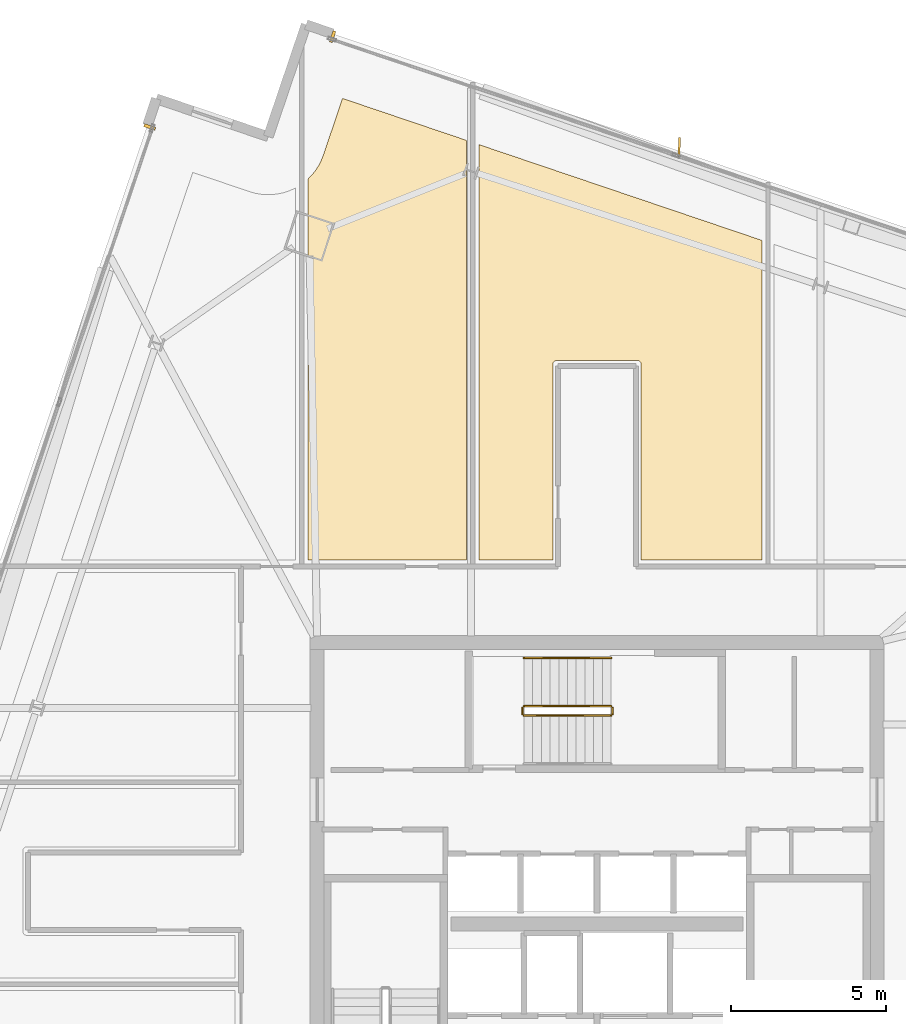
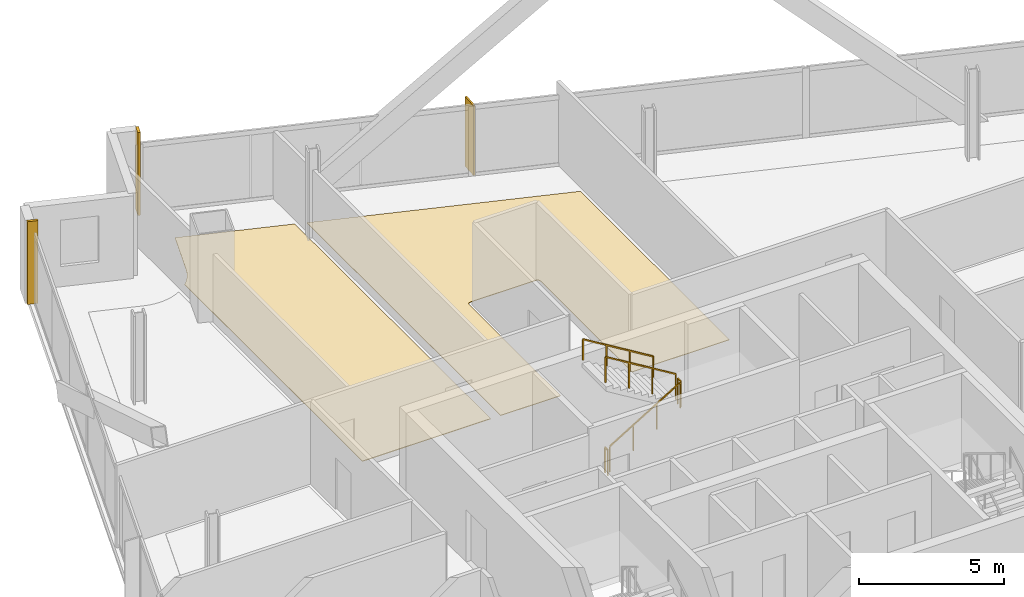
# One storey, part 28 of 29: 5 railings, 4 coverings, 1 shading device.
"""IFC4 building model written with IfcOpenShell, lengths in metres."""

from ifc_helpers import new_model, si_unit, direction, frame, origin, origin_2d, place, context, subcontext, project, spatial, polyline, rectangle, outline, extrude, source, transform, mapped, material, layer, layer_set, type_object, element, save


model = new_model("IFC4")

# Units and contexts
model_context = context("Model", 3, precision=1e-05, world=origin(), true_north=direction((0.0, 1.0)))
body_context = subcontext(model_context, "Body", "Model", "MODEL_VIEW")
ifc_project = project(units=[si_unit("LENGTHUNIT", "METRE"), si_unit("AREAUNIT", "SQUARE_METRE"), si_unit("VOLUMEUNIT", "CUBIC_METRE"), si_unit("PLANEANGLEUNIT", "RADIAN"), si_unit("MASSUNIT", "GRAM", prefix="KILO")], contexts=[model_context])

# Site, building, storey
site_placement = place(None, origin())
site = spatial("IfcSite", under=ifc_project, at=site_placement, CompositionType="ELEMENT")
building_placement = place(site_placement, origin())
building = spatial("IfcBuilding", under=site, at=building_placement, Name="Haldenkirk Collegiate Tower", CompositionType="ELEMENT")
storey_placement = place(building_placement, frame((0.0, 0.0, 267.449951171875)))
storey = spatial("IfcBuildingStorey", under=building, at=storey_placement, Name="L67", CompositionType="ELEMENT", Elevation=267.449951171875)

# Coverings
ifc_material_1 = material(Name="Polished collegiate terrazzo", Category="concrete")
ifc_layer_1 = layer(ifc_material_1, 0.02490234375)
ifc_layer_set_1 = layer_set([ifc_layer_1], Name="Polished collegiate terrazzo")
covering_type_1 = type_object("IfcCoveringType", Name="COV-FLOOR-TERRAZZO", PredefinedType="FLOORING", material=ifc_layer_set_1)
covering_1_placement = place(storey_placement, origin())
element("IfcCovering", 1, at=covering_1_placement, inside=storey, type_object=covering_type_1, Name="L67 academic room finish 04", PredefinedType="FLOORING", context=body_context, shape_type="SweptSolid", body=[
    extrude(outline(polyline([(26.699951171875, 48.90576171875), (26.70751953125, 48.91259765625), (26.82666015625, 49.0361328125), (26.83447265625, 49.044921875), (26.941162109375, 49.1796875), (26.947998046875, 49.189208984375), (27.041015625, 49.33349609375), (27.046875, 49.34375), (27.125, 49.49658203125), (27.1298828125, 49.50732421875), (27.19287109375, 49.6669921875), (27.195068359375, 49.672607421875), (27.813720703125, 51.500732421875), (31.800048828125, 50.151611328125), (31.800048828125, 36.64990234375), (26.699951171875, 36.64990234375), (26.699951171875, 48.90576171875)])), origin(), (0.0, 0.0, 1.0), 0.025146484375),
])
ifc_material_2 = material(Name="Engineered collegiate oak acoustic flooring", Category="wood")
ifc_layer_2 = layer(ifc_material_2, 0.02197265625)
ifc_layer_set_2 = layer_set([ifc_layer_2], Name="Engineered collegiate oak acoustic flooring")
covering_type_2 = type_object("IfcCoveringType", Name="COV-FLOOR-TIMBER", PredefinedType="FLOORING", material=ifc_layer_set_2)
covering_2_placement = place(storey_placement, origin())
element("IfcCovering", 2, at=covering_2_placement, inside=storey, type_object=covering_type_2, Name="L67 academic room finish 05", PredefinedType="FLOORING", context=body_context, shape_type="SweptSolid", body=[
    extrude(outline(polyline([(41.300048828125, 46.935791015625), (41.300048828125, 36.64990234375), (37.419921875, 36.64990234375), (37.419921875, 42.949951171875), (37.41943359375, 42.9619140625), (37.417724609375, 42.973388671875), (37.414794921875, 42.98486328125), (37.410888671875, 42.995849609375), (37.40576171875, 43.006591796875), (37.39990234375, 43.0166015625), (37.392822265625, 43.026123046875), (37.385009765625, 43.034912109375), (37.376220703125, 43.042724609375), (37.36669921875, 43.0498046875), (37.356689453125, 43.055908203125), (37.345947265625, 43.060791015625), (37.334716796875, 43.064697265625), (37.323486328125, 43.067626953125), (37.311767578125, 43.0693359375), (37.300048828125, 43.070068359375), (34.699951171875, 43.070068359375), (34.688232421875, 43.0693359375), (34.676513671875, 43.067626953125), (34.665283203125, 43.064697265625), (34.654052734375, 43.060791015625), (34.643310546875, 43.055908203125), (34.63330078125, 43.0498046875), (34.623779296875, 43.042724609375), (34.614990234375, 43.034912109375), (34.607177734375, 43.026123046875), (34.60009765625, 43.0166015625), (34.59423828125, 43.006591796875), (34.589111328125, 42.995849609375), (34.585205078125, 42.98486328125), (34.582275390625, 42.973388671875), (34.58056640625, 42.9619140625), (34.580078125, 42.949951171875), (34.580078125, 36.64990234375), (32.199951171875, 36.64990234375), (32.199951171875, 50.01611328125), (41.300048828125, 46.935791015625)])), origin(), (0.0, 0.0, 1.0), 0.02197265625),
])

# Railings
ifc_material_3 = material(Name="Painted architectural tubular steel", Category="steel")
railing_type_1 = type_object("IfcRailingType", Name="RLG-STAIR-GUARD-1100", PredefinedType="BALUSTRADE", material=ifc_material_3)
railing_1_placement = place(storey_placement, frame((33.64990234375, 31.64990234375, 0.17041015625)))
element("IfcRailing", 3, at=railing_1_placement, inside=storey, type_object=railing_type_1, Name="L67 ST-3 stair guard 1", PredefinedType="BALUSTRADE", context=body_context, shape_type="SweptSolid", body=[
    extrude(rectangle(XDim=0.048095703125, YDim=0.048095703125, at=origin_2d()), frame((0.0, 0.0, 1.076171875), z_axis=(0.854169791009, 0.0, 0.51999420009), x_axis=(0.0, 1.0, 0.0)), (0.0, 0.0, 1.0), 3.278076171875),
    extrude(rectangle(XDim=0.0419921875, YDim=0.0419921875, at=origin_2d()), origin(), (0.0, 0.0, 1.0), 1.052001953125),
    extrude(rectangle(XDim=0.0419921875, YDim=0.0419921875, at=origin_2d()), frame((0.933349609375, 0.0, 0.568115234375)), (0.0, 0.0, 1.0), 1.052001953125),
    extrude(rectangle(XDim=0.0419921875, YDim=0.0419921875, at=origin_2d()), frame((1.86669921875, 0.0, 1.136474609375)), (0.0, 0.0, 1.0), 1.052001953125),
    extrude(rectangle(XDim=0.0419921875, YDim=0.0419921875, at=origin_2d()), frame((2.800048828125, 0.0, 1.70458984375)), (0.0, 0.0, 1.0), 1.052001953125),
])
railing_2_placement = place(storey_placement, frame((36.5, 31.699951171875, 1.875)))
element("IfcRailing", 4, at=railing_2_placement, inside=storey, type_object=railing_type_1, Name="L67 ST-3 stair guard 2", PredefinedType="BALUSTRADE", context=body_context, shape_type="SweptSolid", body=[
    extrude(rectangle(XDim=0.048095703125, YDim=0.048095703125, at=origin_2d()), frame((0.0, 0.0, 1.076171875), z_axis=(0.0, 1.0, 0.0), x_axis=(-1.0, 0.0, 0.0)), (0.0, 0.0, 1.0), 0.199951171875),
    extrude(rectangle(XDim=0.0419921875, YDim=0.0419921875, at=origin_2d()), origin(), (0.0, 0.0, 1.0), 1.052001953125),
    extrude(rectangle(XDim=0.0419921875, YDim=0.0419921875, at=origin_2d()), frame((0.0, 0.199951171875, 0.0)), (0.0, 0.0, 1.0), 1.052001953125),
])
railing_3_placement = place(storey_placement, frame((36.449951171875, 31.949951171875, 2.04541015625)))
element("IfcRailing", 5, at=railing_3_placement, inside=storey, type_object=railing_type_1, Name="L67 ST-3 stair guard 3", PredefinedType="BALUSTRADE", context=body_context, shape_type="SweptSolid", body=[
    extrude(rectangle(XDim=0.048095703125, YDim=0.048095703125, at=origin_2d()), frame((0.0, 0.0, 1.076171875), z_axis=(-0.854169791009, 0.0, 0.51999420009), x_axis=(0.0, -1.0, 0.0)), (0.0, 0.0, 1.0), 3.278076171875),
    extrude(rectangle(XDim=0.0419921875, YDim=0.0419921875, at=origin_2d()), origin(), (0.0, 0.0, 1.0), 1.052001953125),
    extrude(rectangle(XDim=0.0419921875, YDim=0.0419921875, at=origin_2d()), frame((-0.933349609375, 0.0, 0.568115234375)), (0.0, 0.0, 1.0), 1.052001953125),
    extrude(rectangle(XDim=0.0419921875, YDim=0.0419921875, at=origin_2d()), frame((-1.86669921875, 0.0, 1.136474609375)), (0.0, 0.0, 1.0), 1.052001953125),
    extrude(rectangle(XDim=0.0419921875, YDim=0.0419921875, at=origin_2d()), frame((-2.800048828125, 0.0, 1.70458984375)), (0.0, 0.0, 1.0), 1.052001953125),
])
railing_4_placement = place(storey_placement, frame((33.60009765625, 31.699951171875, 0.0)))
element("IfcRailing", 6, at=railing_4_placement, inside=storey, type_object=railing_type_1, Name="L67 ST-3 stair guard 4", PredefinedType="BALUSTRADE", context=body_context, shape_type="SweptSolid", body=[
    extrude(rectangle(XDim=0.048095703125, YDim=0.048095703125, at=origin_2d()), frame((0.0, 0.0, 1.076171875), z_axis=(0.0, 1.0, 0.0), x_axis=(-1.0, 0.0, 0.0)), (0.0, 0.0, 1.0), 0.199951171875),
    extrude(rectangle(XDim=0.0419921875, YDim=0.0419921875, at=origin_2d()), origin(), (0.0, 0.0, 1.0), 1.052001953125),
    extrude(rectangle(XDim=0.0419921875, YDim=0.0419921875, at=origin_2d()), frame((0.0, 0.199951171875, 0.0)), (0.0, 0.0, 1.0), 1.052001953125),
])
railing_type_2 = type_object("IfcRailingType", Name="RLG-STAIR-HANDRAIL-900", PredefinedType="HANDRAIL", material=ifc_material_3)
railing_5_placement = place(storey_placement, frame((36.449951171875, 33.5, 2.04541015625)))
element("IfcRailing", 7, at=railing_5_placement, inside=storey, type_object=railing_type_2, Name="L67 ST-3 stair handrail 2", PredefinedType="HANDRAIL", context=body_context, shape_type="SweptSolid", body=[
    extrude(rectangle(XDim=0.048095703125, YDim=0.048095703125, at=origin_2d()), frame((0.0, 0.0, 0.8759765625), z_axis=(-0.854169791009, 0.0, 0.51999420009), x_axis=(0.0, -1.0, 0.0)), (0.0, 0.0, 1.0), 3.278076171875),
    extrude(rectangle(XDim=0.0419921875, YDim=0.0419921875, at=origin_2d()), origin(), (0.0, 0.0, 1.0), 0.851806640625),
    extrude(rectangle(XDim=0.0419921875, YDim=0.0419921875, at=origin_2d()), frame((-0.933349609375, 0.0, 0.568115234375)), (0.0, 0.0, 1.0), 0.851806640625),
    extrude(rectangle(XDim=0.0419921875, YDim=0.0419921875, at=origin_2d()), frame((-1.86669921875, 0.0, 1.136474609375)), (0.0, 0.0, 1.0), 0.851806640625),
    extrude(rectangle(XDim=0.0419921875, YDim=0.0419921875, at=origin_2d()), frame((-2.800048828125, 0.0, 1.70458984375)), (0.0, 0.0, 1.0), 0.851806640625),
])

# Coverings
ifc_material_4 = material(Name="Anodised architectural bronze aluminium", Category="aluminium")
ifc_layer_3 = layer(ifc_material_4, 0.06005859375)
ifc_layer_set_3 = layer_set([ifc_layer_3], Name="Anodised architectural bronze aluminium")
covering_type_3 = type_object("IfcCoveringType", Name="COV-CLAD-BRONZE-60", PredefinedType="CLADDING", material=ifc_layer_set_3)
shared_shape_1 = source(origin(), body_context, "Body", "SweptSolid", [
    extrude(rectangle(XDim=0.10009765625, YDim=0.3798828125, at=origin_2d()), origin(), (0.0, 0.0, 1.0), 3.47998046875),
])
for number, where, z_axis, x_axis, name in (
    (8, (27.494140625, 53.48828125, 0.0), (0.0, 0.0, 1.0), (0.947210277746, -0.320612990586, 0.0), "L67 recessed curtain-wall bronze jamb closure EJL"),
    (9, (21.611328125, 50.580810546875, 0.0), (0.0, 0.0, 1.0), (0.320612990586, 0.947210277746, 0.0), "L67 recessed curtain-wall bronze jamb closure NJR"),
):
    element("IfcCovering", number, at=place(storey_placement, frame(where, z_axis=z_axis, x_axis=x_axis)), inside=storey, type_object=covering_type_3, Name=name, PredefinedType="CLADDING", context=body_context, shape_type="MappedRepresentation", body=[
        mapped(shared_shape_1, transform((0.0, 0.0, 0.0), x_axis=(1.0, 0.0, 0.0), y_axis=(0.0, 1.0, 0.0), z_axis=(0.0, 0.0, 1.0), scale=1.0)),
    ])

# Shading device
ifc_layer_4 = layer(ifc_material_4, 0.06494140625)
ifc_layer_set_4 = layer_set([ifc_layer_4], Name="Anodised architectural bronze aluminium")
shading_device_type = type_object("IfcShadingDeviceType", Name="SHD-FIN-BRONZE-620", PredefinedType="USERDEFINED", material=ifc_layer_set_4)
shared_shape_2 = source(origin(), body_context, "Body", "SweptSolid", [
    extrude(rectangle(XDim=0.6201171875, YDim=0.06494140625, at=origin_2d()), origin(), (0.0, 0.0, 1.0), 2.93798828125),
])
shading_device_placement = place(storey_placement, frame((38.645263671875, 49.93017578125, 0.0), z_axis=(0.0, 0.0, 1.0), x_axis=(0.04710645071, 0.998889874962, 0.0)))
element("IfcShadingDevice", 10, at=shading_device_placement, inside=storey, type_object=shading_device_type, Name="L67 folded bronze solar fin 1", ObjectType="FIN", PredefinedType="USERDEFINED", context=body_context, shape_type="MappedRepresentation", body=[
    mapped(shared_shape_2, transform((0.0, 0.0, 0.0), x_axis=(1.0, 0.0, 0.0), y_axis=(0.0, 1.0, 0.0), z_axis=(0.0, 0.0, 1.0), scale=1.0)),
])

save(model, "model.ifc")
